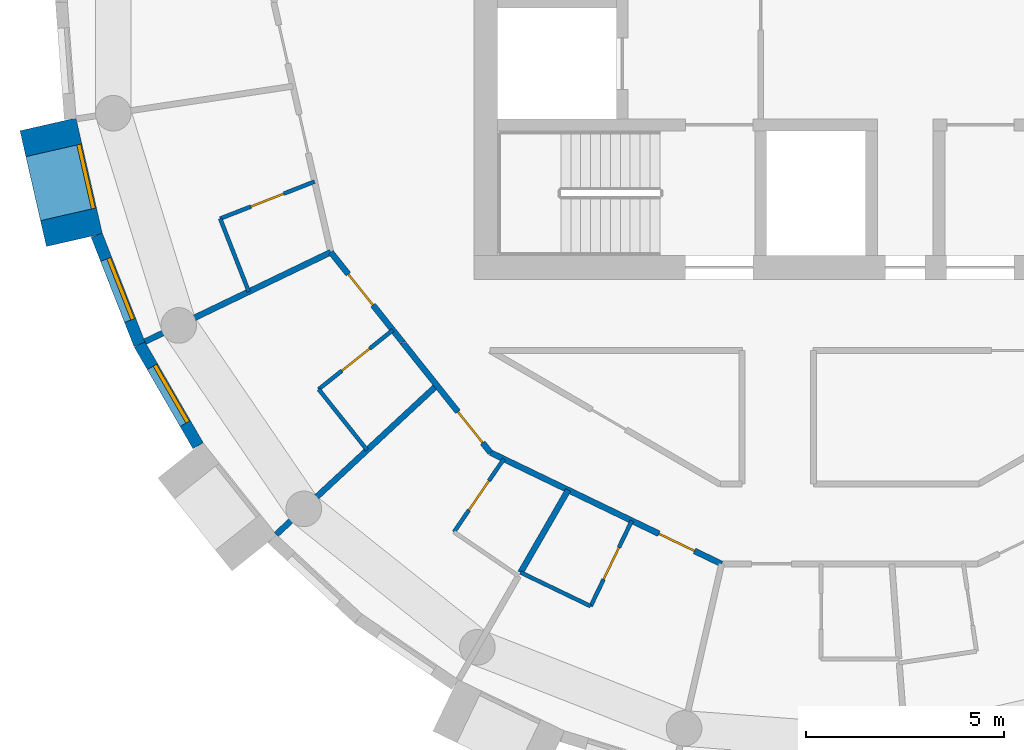
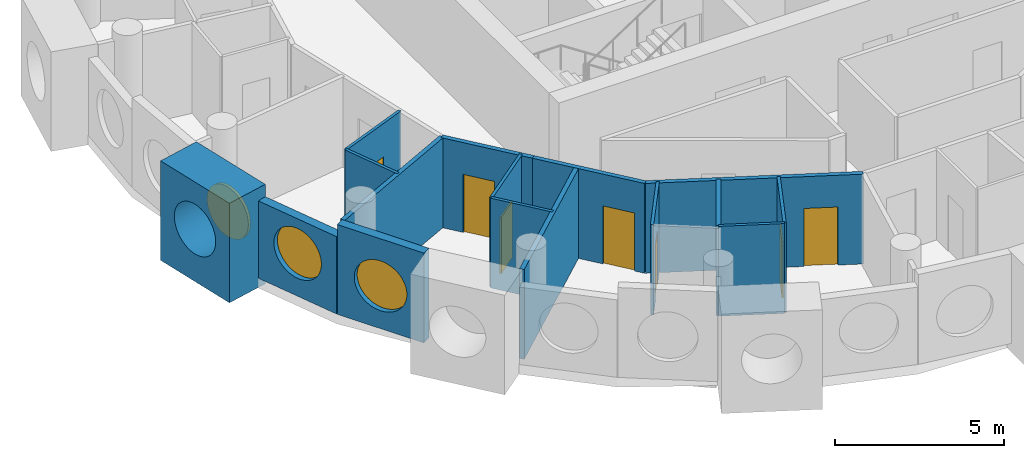
# One storey, part 2 of 12: 16 walls, 7 doors, 3 windows, 10 openings.
"""IFC4 building model written with IfcOpenShell, lengths in metres."""

import ifcopenshell
import ifcopenshell.guid

model = None  # the IFC model being written
_history = None  # IfcOwnerHistory: only IFC2X3 demands one
_inside = {}  # id of a spatial element -> (the spatial element, [elements in it])
_under = {}  # id of a project, library or spatial element -> (it, [spatial elements below it])
_declared = {}  # id of a project -> (the project, [libraries it declares])
_typed = {}  # id of a type object -> (the type object, [elements of that type])
_made_of = {}  # id of a material, layer set ... -> (it, [elements and type objects made of it])


def new_model(schema):
    """Start an empty IFC model of exactly this schema.

    Asked for "IFC4X3", IfcOpenShell would pick the latest addendum, in which some entities
    have other attributes; the version numbers below select the first issue.
    IFC2X3 requires an IfcOwnerHistory on every rooted entity: one is made here for all.
    """
    global model, _history
    if schema == "IFC4X3":
        model = ifcopenshell.file(schema_version=(4, 3, 0, 0))
    else:
        model = ifcopenshell.file(schema=schema)
    _inside.clear()
    _under.clear()
    _declared.clear()
    _typed.clear()
    _made_of.clear()
    _history = None
    if model.schema == "IFC2X3":
        org = make("IfcOrganization", Name="unknown")
        user = make(
            "IfcPersonAndOrganization",
            ThePerson=make("IfcPerson", FamilyName="unknown"),
            TheOrganization=org,
        )
        app = make(
            "IfcApplication",
            ApplicationDeveloper=org,
            Version="unknown",
            ApplicationFullName="unknown",
            ApplicationIdentifier="unknown",
        )
        _history = make(
            "IfcOwnerHistory",
            OwningUser=user,
            OwningApplication=app,
            ChangeAction="ADDED",
            CreationDate=0,
        )
    return model


def make(cls, **values):
    """One entity of the class cls with the attributes given. An attribute that is None is left unset."""
    return model.create_entity(
        cls, **{name: value for name, value in values.items() if value is not None}
    )


def rooted(cls, **values):
    """An entity with a GlobalId (a new one), such as an element, a storey or a relation."""
    return make(cls, GlobalId=ifcopenshell.guid.new(), OwnerHistory=_history, **values)


def si_unit(unit_type, name, prefix=None):
    """IfcSIUnit, for example si_unit("LENGTHUNIT", "METRE", prefix="MILLI")."""
    return make("IfcSIUnit", UnitType=unit_type, Prefix=prefix, Name=name)


def assignment(units):
    """IfcUnitAssignment: the units of a project."""
    return None if units is None else make("IfcUnitAssignment", Units=units)


def point(xyz):
    """IfcCartesianPoint."""
    return None if xyz is None else make("IfcCartesianPoint", Coordinates=xyz)


def direction(xyz):
    """IfcDirection."""
    return None if xyz is None else make("IfcDirection", DirectionRatios=xyz)


def frame(location, z_axis=None, x_axis=None):
    """IfcAxis2Placement3D, a coordinate frame: its origin and axes. An axis left out is left unset."""
    return make(
        "IfcAxis2Placement3D",
        Location=point(location),
        Axis=direction(z_axis),
        RefDirection=direction(x_axis),
    )


def frame_2d(location, x_axis=None):
    """IfcAxis2Placement2D, a coordinate frame in the plane: its origin and x axis."""
    return make(
        "IfcAxis2Placement2D", Location=point(location), RefDirection=direction(x_axis)
    )


def origin():
    """The frame at (0, 0, 0) with its axes left unset."""
    return frame((0.0, 0.0, 0.0))


def origin_2d():
    """The frame at (0, 0) in the plane with its x axis left unset."""
    return frame_2d((0.0, 0.0))


def place(relative_to, where):
    """IfcLocalPlacement: puts the frame where relative to a parent placement (None: the world)."""
    return make(
        "IfcLocalPlacement", PlacementRelTo=relative_to, RelativePlacement=where
    )


def context(
    kind, dimensions, precision=None, world=None, true_north=None, identifier=None
):
    """IfcGeometricRepresentationContext, for example the 3D "Model" context."""
    return make(
        "IfcGeometricRepresentationContext",
        ContextIdentifier=identifier,
        ContextType=kind,
        CoordinateSpaceDimension=dimensions,
        Precision=precision,
        WorldCoordinateSystem=world,
        TrueNorth=true_north,
    )


def subcontext(parent, identifier, kind, view, scale=None):
    """IfcGeometricRepresentationSubContext, for example "Body" below "Model"."""
    return make(
        "IfcGeometricRepresentationSubContext",
        ContextIdentifier=identifier,
        ContextType=kind,
        ParentContext=parent,
        TargetScale=scale,
        TargetView=view,
    )


def project(units=None, contexts=None):
    """IfcProject with its units and contexts."""
    return rooted(
        "IfcProject",
        Name="project",
        RepresentationContexts=contexts,
        UnitsInContext=assignment(units),
    )


def spatial(cls, under=None, at=None, **own):
    """A site, building, storey or space (cls), placed at a placement, below another one or the project."""
    s = rooted(cls, ObjectPlacement=at, **own)
    if under is not None:
        _under.setdefault(under.id(), (under, []))[1].append(s)
    return s


def profile(cls, at=None, kind="AREA", **sizes):
    """A parametric profile (cls). Its sizes go by their IFC names, for example OverallWidth=200.0."""
    return make(cls, ProfileType=kind, Position=at, **sizes)


def rectangle(**sizes):
    """IfcRectangleProfileDef."""
    return profile("IfcRectangleProfileDef", **sizes)


def circle(**sizes):
    """IfcCircleProfileDef."""
    return profile("IfcCircleProfileDef", **sizes)


def extrude(swept, where, along, depth):
    """IfcExtrudedAreaSolid: the profile swept, set in the frame where, extruded along a direction by depth."""
    return make(
        "IfcExtrudedAreaSolid",
        SweptArea=swept,
        Position=where,
        ExtrudedDirection=direction(along),
        Depth=depth,
    )


def shape(context_of_items, identifier, shape_type, items):
    """IfcShapeRepresentation: the items that make up one representation, for example the "Body"."""
    return make(
        "IfcShapeRepresentation",
        ContextOfItems=context_of_items,
        RepresentationIdentifier=identifier,
        RepresentationType=shape_type,
        Items=items,
    )


def material(Name=None, Category=None):
    """IfcMaterial."""
    return make("IfcMaterial", Name=Name, Category=Category)


def layer(
    of_material, thickness, ventilated=None, Name=None, Category=None, Priority=None
):
    """IfcMaterialLayer: one layer of a wall or slab, of a material (None: an air gap)."""
    return make(
        "IfcMaterialLayer",
        Material=of_material,
        LayerThickness=thickness,
        IsVentilated=ventilated,
        Name=Name,
        Category=Category,
        Priority=Priority,
    )


def layer_set(layers, Name=None):
    """IfcMaterialLayerSet."""
    return make("IfcMaterialLayerSet", MaterialLayers=layers, LayerSetName=Name)


def made_of(thing, what):
    """Note that an element or type object is made of a material, layer set ...; save() writes the relation."""
    if what is not None:
        _made_of.setdefault(what.id(), (what, []))[1].append(thing)
    return thing


def type_object(cls, material=None, **own):
    """A type object (cls), such as IfcWallType, which elements share."""
    return made_of(rooted(cls, **own), material)


def element(
    cls,
    number,
    at=None,
    inside=None,
    cuts=None,
    type_object=None,
    material=None,
    context=None,
    identifier="Body",
    shape_type=None,
    held_by="IfcProductDefinitionShape",
    body=None,
    shapes=None,
    **own,
):
    """One element of the class cls, such as IfcWall. Its Tag is "e" and its number.

    at: its placement. inside: the storey or other place that contains it. cuts: it is an
    opening in that element (IfcRelVoidsElement). A single representation is given by context,
    identifier, shape_type and body (its items); several are given by shapes. held_by: the class
    of the entity that holds the representations. save() writes the other relations.
    """
    e = rooted(cls, Tag="e%d" % number, ObjectPlacement=at, **own)
    if body is not None:
        shapes = [shape(context, identifier, shape_type, body)]
    if shapes is not None:
        e.Representation = make(held_by, Representations=shapes)
    if inside is not None:
        _inside.setdefault(inside.id(), (inside, []))[1].append(e)
    if cuts is not None:
        rooted(
            "IfcRelVoidsElement", RelatingBuildingElement=cuts, RelatedOpeningElement=e
        )
    if type_object is not None:
        _typed.setdefault(type_object.id(), (type_object, []))[1].append(e)
    return made_of(e, material)


def fill(opening, filler):
    """IfcRelFillsElement: the door or window that sits in an opening."""
    return rooted(
        "IfcRelFillsElement",
        RelatingOpeningElement=opening,
        RelatedBuildingElement=filler,
    )


def aggregate(whole, parts):
    """IfcRelAggregates: a whole, such as a stair, and the parts it consists of."""
    return rooted("IfcRelAggregates", RelatingObject=whole, RelatedObjects=parts)


def save(model, path):
    """Write the relations noted so far, then the file.

    IfcRelAggregates (storeys below a building ...), IfcRelContainedInSpatialStructure (elements
    in a storey), IfcRelDefinesByType, IfcRelAssociatesMaterial and IfcRelDeclares: one each for
    every whole, place, type object, material and project.
    """
    for whole, parts in _under.values():
        aggregate(whole, parts)
    for where, things in _inside.values():
        rooted(
            "IfcRelContainedInSpatialStructure",
            RelatedElements=things,
            RelatingStructure=where,
        )
    for kind, things in _typed.values():
        rooted("IfcRelDefinesByType", RelatedObjects=things, RelatingType=kind)
    for what, things in _made_of.values():
        rooted("IfcRelAssociatesMaterial", RelatedObjects=things, RelatingMaterial=what)
    for by, libraries in _declared.values():
        rooted("IfcRelDeclares", RelatingContext=by, RelatedDefinitions=libraries)
    model.write(path)


model = new_model("IFC4")

# Units and contexts
model_context = context("Model", 3, precision=1e-05, world=origin(), true_north=direction((0.0, 1.0)))
body_context = subcontext(model_context, "Body", "Model", "MODEL_VIEW")
ifc_project = project(units=[si_unit("LENGTHUNIT", "METRE"), si_unit("AREAUNIT", "SQUARE_METRE"), si_unit("VOLUMEUNIT", "CUBIC_METRE"), si_unit("PLANEANGLEUNIT", "RADIAN"), si_unit("MASSUNIT", "GRAM", prefix="KILO")], contexts=[model_context])

# Site, building, storey
site_placement = place(None, origin())
site = spatial("IfcSite", under=ifc_project, at=site_placement, CompositionType="ELEMENT")
building_placement = place(site_placement, origin())
building = spatial("IfcBuilding", under=site, at=building_placement, Name="Tracery Tower", CompositionType="ELEMENT")
storey_placement = place(building_placement, frame((0.0, 0.0, 287.39990234375)))
storey = spatial("IfcBuildingStorey", under=building, at=storey_placement, Name="L74", CompositionType="ELEMENT", Elevation=287.39990234375)

# Wall, opening, window
ifc_material_1 = material(Name="Precast concrete C50/60", Category="concrete")
ifc_layer_1 = layer(ifc_material_1, 1.449951171875)
ifc_layer_set_1 = layer_set([ifc_layer_1], Name="Deep-set bay unit 3000 x 3600, slab edge 350")
wall_type_1 = type_object("IfcWallType", Name="Deep-set bay unit 3000 x 3600, slab edge 350", PredefinedType="ELEMENTEDWALL", material=ifc_layer_set_1)
wall_1_placement = place(storey_placement, frame((-20.262451171875, -3.086181640625, -0.349853515625), z_axis=(0.0, 0.0, 1.0), x_axis=(0.222570682856, -0.974916555985, 0.0)))
wall_1 = element("IfcWall", 1, at=wall_1_placement, inside=storey, type_object=wall_type_1, Name="Deep-set bay unit 23 at L74", PredefinedType="ELEMENTEDWALL", context=body_context, shape_type="SweptSolid", body=[
    extrude(rectangle(XDim=3.0, YDim=1.449951171875, at=frame_2d((1.5, 0.0))), origin(), (0.0, 0.0, 1.0), 3.599853515625),
])
opening_1_placement = place(wall_1_placement, frame((1.5, 0.0, 1.89990234375)))
opening_1 = element("IfcOpeningElement", 2, at=opening_1_placement, cuts=wall_1, Name="Opening WN1", PredefinedType="OPENING", context=body_context, shape_type="SweptSolid", body=[
    extrude(circle(Radius=0.9000244140625, at=origin_2d()), frame((0.0, 0.73486328125, 0.0), z_axis=(0.0, -1.0, 0.0), x_axis=(1.0, 0.0, 0.0)), (0.0, 0.0, 1.0), 1.469970703125),
])
ifc_material_2 = material(Name="Aluminium frame with tinted double glazing", Category="aluminium")
window_type = type_object("IfcWindowType", Name="Round window 1800", PartitioningType="SINGLE_PANEL", PredefinedType="WINDOW", material=ifc_material_2)
window_1_placement = place(opening_1_placement, origin())
window_1 = element("IfcWindow", 3, at=window_1_placement, inside=storey, type_object=window_type, Name="Round window 23 at L74", OverallHeight=1.800048828125, OverallWidth=1.800048828125, PartitioningType="SINGLE_PANEL", PredefinedType="WINDOW", context=body_context, shape_type="SweptSolid", body=[
    extrude(circle(Radius=0.9000244140625, at=origin_2d()), frame((0.0, 0.69482421875, 0.0), z_axis=(0.0, -1.0, 0.0), x_axis=(1.0, 0.0, 0.0)), (0.0, 0.0, 1.0), 0.10009765625),
])
fill(opening_1, window_1)

ifc_material_3 = material(Name="Precast concrete C50/60", Category="concrete")
ifc_layer_2 = layer(ifc_material_3, 0.300048828125)
ifc_layer_set_2 = layer_set([ifc_layer_2], Name="Facade panel 3000 x 2800")
wall_type_2 = type_object("IfcWallType", Name="Facade panel 3000 x 2800", PredefinedType="SOLIDWALL", material=ifc_layer_set_2)
wall_2_placement = place(storey_placement, frame((-19.03125, -5.88623046875, 0.0), z_axis=(0.0, 0.0, 1.0), x_axis=(0.365343821297, -0.930872650925, 0.0)))
wall_2 = element("IfcWall", 4, at=wall_2_placement, inside=storey, type_object=wall_type_2, Name="Facade panel 24 at L74", PredefinedType="SOLIDWALL", context=body_context, shape_type="SweptSolid", body=[
    extrude(rectangle(XDim=2.96240234375, YDim=0.300048828125, at=frame_2d((1.481201171875, 0.0))), origin(), (0.0, 0.0, 1.0), 2.800048828125),
])
opening_2_placement = place(wall_2_placement, frame((1.48095703125, 0.0, 1.5498046875)))
opening_2 = element("IfcOpeningElement", 5, at=opening_2_placement, cuts=wall_2, Name="Opening WN1", PredefinedType="OPENING", context=body_context, shape_type="SweptSolid", body=[
    extrude(circle(Radius=0.9000244140625, at=origin_2d()), frame((0.0, 0.159912109375, 0.0), z_axis=(0.0, -1.0, 0.0), x_axis=(1.0, 0.0, 0.0)), (0.0, 0.0, 1.0), 0.320068359375),
])
window_2_placement = place(opening_2_placement, origin())
window_2 = element("IfcWindow", 6, at=window_2_placement, inside=storey, type_object=window_type, Name="Round window 24 at L74", OverallHeight=1.800048828125, OverallWidth=1.800048828125, PartitioningType="SINGLE_PANEL", PredefinedType="WINDOW", context=body_context, shape_type="SweptSolid", body=[
    extrude(circle(Radius=0.9000244140625, at=origin_2d()), frame((0.0, 0.1201171875, 0.0), z_axis=(0.0, -1.0, 0.0), x_axis=(1.0, 0.0, 0.0)), (0.0, 0.0, 1.0), 0.10009765625),
])
fill(opening_2, window_2)

ifc_material_4 = material(Name="Precast concrete C50/60", Category="concrete")
ifc_layer_3 = layer(ifc_material_4, 0.300048828125)
ifc_layer_set_3 = layer_set([ifc_layer_3], Name="Facade panel 3000 x 3250")
wall_type_3 = type_object("IfcWallType", Name="Facade panel 3000 x 3250", PredefinedType="SOLIDWALL", material=ifc_layer_set_3)
wall_3_placement = place(storey_placement, frame((-17.948974609375, -8.643798828125, 0.0), z_axis=(0.0, 0.0, 1.0), x_axis=(0.500012570604, -0.866018146021, 0.0)))
wall_3 = element("IfcWall", 7, at=wall_3_placement, inside=storey, type_object=wall_type_3, Name="Facade panel 25 at L74", PredefinedType="SOLIDWALL", context=body_context, shape_type="SweptSolid", body=[
    extrude(rectangle(XDim=2.96240234375, YDim=0.300048828125, at=frame_2d((1.481201171875, 0.0))), origin(), (0.0, 0.0, 1.0), 3.25),
])
opening_3_placement = place(wall_3_placement, frame((1.48095703125, 0.0, 1.5498046875)))
opening_3 = element("IfcOpeningElement", 8, at=opening_3_placement, cuts=wall_3, Name="Opening WN1", PredefinedType="OPENING", context=body_context, shape_type="SweptSolid", body=[
    extrude(circle(Radius=0.9000244140625, at=origin_2d()), frame((0.0, 0.159912109375, 0.0), z_axis=(0.0, -1.0, 0.0), x_axis=(1.0, 0.0, 0.0)), (0.0, 0.0, 1.0), 0.320068359375),
])
window_3_placement = place(opening_3_placement, origin())
window_3 = element("IfcWindow", 9, at=window_3_placement, inside=storey, type_object=window_type, Name="Round window 25 at L74", OverallHeight=1.800048828125, OverallWidth=1.800048828125, PartitioningType="SINGLE_PANEL", PredefinedType="WINDOW", context=body_context, shape_type="SweptSolid", body=[
    extrude(circle(Radius=0.9000244140625, at=origin_2d()), frame((0.0, 0.1201171875, 0.0), z_axis=(0.0, -1.0, 0.0), x_axis=(1.0, 0.0, 0.0)), (0.0, 0.0, 1.0), 0.10009765625),
])
fill(opening_3, window_3)

# Wall, opening, door
ifc_material_5 = material(Name="Plasterboard on steel studs", Category="steel")
ifc_layer_4 = layer(ifc_material_5, 0.10009765625)
ifc_layer_set_4 = layer_set([ifc_layer_4], Name="Partition 100 wet wall")
wall_type_4 = type_object("IfcWallType", Name="Partition 100 wet wall", PredefinedType="PARTITIONING", material=ifc_layer_set_4)
wall_4_placement = place(storey_placement, frame((-15.910888671875, -5.468017578125, 0.0), z_axis=(0.0, 0.0, 1.0), x_axis=(0.930898333543, 0.365278376867, 0.0)))
wall_4 = element("IfcWall", 10, at=wall_4_placement, inside=storey, type_object=wall_type_4, Name="Wet wall RC6-067", PredefinedType="PARTITIONING", context=body_context, shape_type="SweptSolid", body=[
    extrude(rectangle(XDim=2.565185546875, YDim=0.10009765625, at=frame_2d((1.28271484375, 0.0))), origin(), (0.0, 0.0, 1.0), 3.25),
])
opening_4_placement = place(wall_4_placement, frame((0.832275390625, 0.0, 0.0)))
opening_4 = element("IfcOpeningElement", 11, at=opening_4_placement, cuts=wall_4, Name="Opening RC6-18", PredefinedType="OPENING", context=body_context, shape_type="SweptSolid", body=[
    extrude(rectangle(XDim=0.89990234375, YDim=2.0400390625, at=frame_2d((0.449951171875, 1.02001953125))), frame((0.0, 0.050048828125, 0.0), z_axis=(0.0, -1.0, 0.0), x_axis=(1.0, 0.0, 0.0)), (0.0, 0.0, 1.0), 0.10009765625),
])
ifc_material_6 = material(Name="Timber door leaf", Category="wood")
door_type_1 = type_object("IfcDoorType", Name="Door en-suite 900", OperationType="NOTDEFINED", PredefinedType="DOOR", material=ifc_material_6)
door_1_placement = place(opening_4_placement, origin())
door_1 = element("IfcDoor", 12, at=door_1_placement, inside=storey, type_object=door_type_1, Name="En-suite door RC6-18", OperationType="SINGLE_SWING_RIGHT", OverallHeight=2.0400390625, OverallWidth=0.89990234375, PredefinedType="DOOR", context=body_context, shape_type="SweptSolid", body=[
    extrude(rectangle(XDim=0.89990234375, YDim=2.0400390625, at=frame_2d((0.449951171875, 1.02001953125))), frame((0.0, 0.02490234375, 0.0), z_axis=(0.0, -1.0, 0.0), x_axis=(1.0, 0.0, 0.0)), (0.0, 0.0, 1.0), 0.050048828125),
])
fill(opening_4, door_1)

# Wall
wall_5_placement = place(storey_placement, frame((-15.910888671875, -5.468017578125, 0.0), z_axis=(0.0, 0.0, 1.0), x_axis=(0.36507706633, -0.930977301356, 0.0)))
element("IfcWall", 13, at=wall_5_placement, inside=storey, type_object=wall_type_4, Name="Wet wall RC6-068", PredefinedType="PARTITIONING", context=body_context, shape_type="SweptSolid", body=[
    extrude(rectangle(XDim=1.98291015625, YDim=0.10009765625, at=frame_2d((0.991455078125, 0.0))), origin(), (0.0, 0.0, 1.0), 3.25),
])

# Wall, opening, door
wall_6_placement = place(storey_placement, frame((-13.422119140625, -9.780029296875, 0.0), z_axis=(0.0, 0.0, 1.0), x_axis=(0.781860394524, 0.623453545562, 0.0)))
wall_6 = element("IfcWall", 14, at=wall_6_placement, inside=storey, type_object=wall_type_4, Name="Wet wall RC6-070", PredefinedType="PARTITIONING", context=body_context, shape_type="SweptSolid", body=[
    extrude(rectangle(XDim=2.399658203125, YDim=0.10009765625, at=frame_2d((1.19970703125, 0.0))), origin(), (0.0, 0.0, 1.0), 3.25),
])
opening_5_placement = place(wall_6_placement, frame((0.74951171875, 0.0, 0.0)))
opening_5 = element("IfcOpeningElement", 15, at=opening_5_placement, cuts=wall_6, Name="Opening RC6-20", PredefinedType="OPENING", context=body_context, shape_type="SweptSolid", body=[
    extrude(rectangle(XDim=0.89990234375, YDim=2.0400390625, at=frame_2d((0.449951171875, 1.02001953125))), frame((0.0, 0.050048828125, 0.0), z_axis=(0.0, -1.0, 0.0), x_axis=(1.0, 0.0, 0.0)), (0.0, 0.0, 1.0), 0.10009765625),
])
door_2_placement = place(opening_5_placement, origin())
door_2 = element("IfcDoor", 16, at=door_2_placement, inside=storey, type_object=door_type_1, Name="En-suite door RC6-20", OperationType="SINGLE_SWING_RIGHT", OverallHeight=2.0400390625, OverallWidth=0.89990234375, PredefinedType="DOOR", context=body_context, shape_type="SweptSolid", body=[
    extrude(rectangle(XDim=0.89990234375, YDim=2.0400390625, at=frame_2d((0.449951171875, 1.02001953125))), frame((0.0, 0.02490234375, 0.0), z_axis=(0.0, -1.0, 0.0), x_axis=(1.0, 0.0, 0.0)), (0.0, 0.0, 1.0), 0.050048828125),
])
fill(opening_5, door_2)

# Wall
wall_7_placement = place(storey_placement, frame((-13.422119140625, -9.780029296875, 0.0), z_axis=(0.0, 0.0, 1.0), x_axis=(0.623330716607, -0.781958322249, 0.0)))
element("IfcWall", 17, at=wall_7_placement, inside=storey, type_object=wall_type_4, Name="Wet wall RC6-071", PredefinedType="PARTITIONING", context=body_context, shape_type="SweptSolid", body=[
    extrude(rectangle(XDim=1.96533203125, YDim=0.10009765625, at=frame_2d((0.982666015625, 0.0))), origin(), (0.0, 0.0, 1.0), 3.25),
])

# Wall, opening, door
wall_8_placement = place(storey_placement, frame((-10.001953125, -13.386962890625, 0.0), z_axis=(0.0, 0.0, 1.0), x_axis=(0.563469042551, 0.826137178734, 0.0)))
wall_8 = element("IfcWall", 18, at=wall_8_placement, inside=storey, type_object=wall_type_4, Name="Wet wall RC6-073", PredefinedType="PARTITIONING", context=body_context, shape_type="SweptSolid", body=[
    extrude(rectangle(XDim=2.234375, YDim=0.10009765625, at=frame_2d((1.1171875, 0.0))), origin(), (0.0, 0.0, 1.0), 3.25),
])
opening_6_placement = place(wall_8_placement, frame((0.66748046875, 0.0, 0.0)))
opening_6 = element("IfcOpeningElement", 19, at=opening_6_placement, cuts=wall_8, Name="Opening RC6-22", PredefinedType="OPENING", context=body_context, shape_type="SweptSolid", body=[
    extrude(rectangle(XDim=0.89990234375, YDim=2.0400390625, at=frame_2d((0.449951171875, 1.02001953125))), frame((0.0, 0.050048828125, 0.0), z_axis=(0.0, -1.0, 0.0), x_axis=(1.0, 0.0, 0.0)), (0.0, 0.0, 1.0), 0.10009765625),
])
door_3_placement = place(opening_6_placement, origin())
door_3 = element("IfcDoor", 20, at=door_3_placement, inside=storey, type_object=door_type_1, Name="En-suite door RC6-22", OperationType="SINGLE_SWING_LEFT", OverallHeight=2.0400390625, OverallWidth=0.89990234375, PredefinedType="DOOR", context=body_context, shape_type="SweptSolid", body=[
    extrude(rectangle(XDim=0.89990234375, YDim=2.0400390625, at=frame_2d((0.449951171875, 1.02001953125))), frame((0.0, 0.02490234375, 0.0), z_axis=(0.0, -1.0, 0.0), x_axis=(1.0, 0.0, 0.0)), (0.0, 0.0, 1.0), 0.050048828125),
])
fill(opening_6, door_3)

# Wall
wall_9_placement = place(storey_placement, frame((-8.319091796875, -14.408935546875, 0.0), z_axis=(0.0, 0.0, 1.0), x_axis=(0.900936932599, -0.433950047216, 0.0)))
element("IfcWall", 21, at=wall_9_placement, inside=storey, type_object=wall_type_4, Name="Wet wall RC6-077", PredefinedType="PARTITIONING", context=body_context, shape_type="SweptSolid", body=[
    extrude(rectangle(XDim=1.9658203125, YDim=0.10009765625, at=frame_2d((0.98291015625, 0.0))), origin(), (0.0, 0.0, 1.0), 3.25),
])

# Wall, opening, door
wall_10_placement = place(storey_placement, frame((-6.548095703125, -15.261962890625, 0.0), z_axis=(0.0, 0.0, 1.0), x_axis=(0.433855388624, 0.900982520231, 0.0)))
wall_10 = element("IfcWall", 22, at=wall_10_placement, inside=storey, type_object=wall_type_4, Name="Wet wall RC6-078", PredefinedType="PARTITIONING", context=body_context, shape_type="SweptSolid", body=[
    extrude(rectangle(XDim=2.3994140625, YDim=0.10009765625, at=frame_2d((1.19970703125, 0.0))), origin(), (0.0, 0.0, 1.0), 3.25),
])
opening_7_placement = place(wall_10_placement, frame((0.75, 0.0, 0.0)))
opening_7 = element("IfcOpeningElement", 23, at=opening_7_placement, cuts=wall_10, Name="Opening RC6-24", PredefinedType="OPENING", context=body_context, shape_type="SweptSolid", body=[
    extrude(rectangle(XDim=0.89990234375, YDim=2.0400390625, at=frame_2d((0.449951171875, 1.02001953125))), frame((0.0, 0.050048828125, 0.0), z_axis=(0.0, -1.0, 0.0), x_axis=(1.0, 0.0, 0.0)), (0.0, 0.0, 1.0), 0.10009765625),
])
door_4_placement = place(opening_7_placement, origin())
door_4 = element("IfcDoor", 24, at=door_4_placement, inside=storey, type_object=door_type_1, Name="En-suite door RC6-24", OperationType="SINGLE_SWING_RIGHT", OverallHeight=2.0400390625, OverallWidth=0.89990234375, PredefinedType="DOOR", context=body_context, shape_type="SweptSolid", body=[
    extrude(rectangle(XDim=0.89990234375, YDim=2.0400390625, at=frame_2d((0.449951171875, 1.02001953125))), frame((0.0, 0.02490234375, 0.0), z_axis=(0.0, -1.0, 0.0), x_axis=(1.0, 0.0, 0.0)), (0.0, 0.0, 1.0), 0.050048828125),
])
fill(opening_7, door_4)

# Walls
ifc_material_7 = material(Name="Plasterboard on steel studs", Category="steel")
ifc_layer_5 = layer(ifc_material_7, 0.14990234375)
ifc_layer_set_5 = layer_set([ifc_layer_5], Name="Partition 150 acoustic unit wall")
wall_type_5 = type_object("IfcWallType", Name="Partition 150 acoustic unit wall", PredefinedType="PARTITIONING", material=ifc_layer_set_5)
wall_11_placement = place(storey_placement, frame((-17.81298828125, -8.577880859375, 0.0), z_axis=(0.0, 0.0, 1.0), x_axis=(0.901049790108, 0.433715662325, 0.0)))
element("IfcWall", 25, at=wall_11_placement, inside=storey, type_object=wall_type_5, Name="Unit wall RC6-069", PredefinedType="PARTITIONING", context=body_context, shape_type="SweptSolid", body=[
    extrude(rectangle(XDim=5.214111328125, YDim=0.14990234375, at=frame_2d((2.60693359375, 0.0))), origin(), (0.0, 0.0, 1.0), 3.25),
])
wall_12_placement = place(storey_placement, frame((-14.492919921875, -13.447998046875, 0.0), z_axis=(0.0, 0.0, 1.0), x_axis=(0.73295202722, 0.68028032883, 0.0)))
element("IfcWall", 26, at=wall_12_placement, inside=storey, type_object=wall_type_5, Name="Unit wall RC6-072", PredefinedType="PARTITIONING", context=body_context, shape_type="SweptSolid", body=[
    extrude(rectangle(XDim=5.5390625, YDim=0.14990234375, at=frame_2d((2.76953125, 0.0))), origin(), (0.0, 0.0, 1.0), 3.25),
])
wall_13_placement = place(storey_placement, frame((-8.321044921875, -14.412109375, 0.0), z_axis=(0.0, 0.0, 1.0), x_axis=(0.500017667814, 0.866015203027, 0.0)))
element("IfcWall", 27, at=wall_13_placement, inside=storey, type_object=wall_type_5, Name="Unit wall RC6-076", PredefinedType="PARTITIONING", context=body_context, shape_type="SweptSolid", body=[
    extrude(rectangle(XDim=2.41015625, YDim=0.14990234375, at=frame_2d((1.205078125, 0.0))), origin(), (0.0, 0.0, 1.0), 3.25),
])

# Wall, opening, door
ifc_material_8 = material(Name="Plasterboard on steel studs", Category="steel")
ifc_layer_6 = layer(ifc_material_8, 0.14990234375)
ifc_layer_set_6 = layer_set([ifc_layer_6], Name="Partition 150 corridor wall")
wall_type_6 = type_object("IfcWallType", Name="Partition 150 corridor wall", PredefinedType="PARTITIONING", material=ifc_layer_set_6)
wall_14_placement = place(storey_placement, frame((-11.300048828125, -8.59619140625, 0.0), z_axis=(0.0, 0.0, 1.0), x_axis=(0.623390921228, -0.781910326911, 0.0)))
wall_14 = element("IfcWall", 28, at=wall_14_placement, inside=storey, type_object=wall_type_6, Name="Corridor wall RC6-015", PredefinedType="PARTITIONING", context=body_context, shape_type="SweptSolid", body=[
    extrude(rectangle(XDim=3.56396484375, YDim=0.14990234375, at=frame_2d((1.781982421875, 0.0))), origin(), (0.0, 0.0, 1.0), 3.25),
])
opening_8_placement = place(wall_14_placement, frame((2.243896484375, 0.0, 0.0)))
opening_8 = element("IfcOpeningElement", 29, at=opening_8_placement, cuts=wall_14, Name="Opening RC6-23", PredefinedType="OPENING", context=body_context, shape_type="SweptSolid", body=[
    extrude(rectangle(XDim=1.0, YDim=2.10009765625, at=frame_2d((0.5, 1.050048828125))), frame((0.0, 0.074951171875, 0.0), z_axis=(0.0, -1.0, 0.0), x_axis=(1.0, 0.0, 0.0)), (0.0, 0.0, 1.0), 0.14990234375),
])
ifc_material_9 = material(Name="Timber door leaf", Category="wood")
door_type_2 = type_object("IfcDoorType", Name="Door unit entrance 1000", OperationType="NOTDEFINED", PredefinedType="DOOR", material=ifc_material_9)
door_5_placement = place(opening_8_placement, origin())
door_5 = element("IfcDoor", 30, at=door_5_placement, inside=storey, type_object=door_type_2, Name="Unit entrance door RC6-23", OperationType="SINGLE_SWING_LEFT", OverallHeight=2.10009765625, OverallWidth=1.0, PredefinedType="DOOR", context=body_context, shape_type="SweptSolid", body=[
    extrude(rectangle(XDim=1.0, YDim=2.10009765625, at=frame_2d((0.5, 1.050048828125))), frame((0.0, 0.02490234375, 0.0), z_axis=(0.0, -1.0, 0.0), x_axis=(1.0, 0.0, 0.0)), (0.0, 0.0, 1.0), 0.050048828125),
])
fill(opening_8, door_5)

wall_15_placement = place(storey_placement, frame((-13.114990234375, -6.31591796875, 0.0), z_axis=(0.0, 0.0, 1.0), x_axis=(0.623303083673, -0.781980348784, 0.0)))
wall_15 = element("IfcWall", 31, at=wall_15_placement, inside=storey, type_object=wall_type_6, Name="Corridor wall RC6-036", PredefinedType="PARTITIONING", context=body_context, shape_type="SweptSolid", body=[
    extrude(rectangle(XDim=2.9111328125, YDim=0.14990234375, at=frame_2d((1.45556640625, 0.0))), origin(), (0.0, 0.0, 1.0), 3.25),
])
opening_9_placement = place(wall_15_placement, frame((0.71044921875, 0.0, 0.0)))
opening_9 = element("IfcOpeningElement", 32, at=opening_9_placement, cuts=wall_15, Name="Opening RC6-21", PredefinedType="OPENING", context=body_context, shape_type="SweptSolid", body=[
    extrude(rectangle(XDim=1.0, YDim=2.10009765625, at=frame_2d((0.5, 1.050048828125))), frame((0.0, 0.074951171875, 0.0), z_axis=(0.0, -1.0, 0.0), x_axis=(1.0, 0.0, 0.0)), (0.0, 0.0, 1.0), 0.14990234375),
])
door_6_placement = place(opening_9_placement, origin())
door_6 = element("IfcDoor", 33, at=door_6_placement, inside=storey, type_object=door_type_2, Name="Unit entrance door RC6-21", OperationType="SINGLE_SWING_RIGHT", OverallHeight=2.10009765625, OverallWidth=1.0, PredefinedType="DOOR", context=body_context, shape_type="SweptSolid", body=[
    extrude(rectangle(XDim=1.0, YDim=2.10009765625, at=frame_2d((0.5, 1.050048828125))), frame((0.0, 0.02490234375, 0.0), z_axis=(0.0, -1.0, 0.0), x_axis=(1.0, 0.0, 0.0)), (0.0, 0.0, 1.0), 0.050048828125),
])
fill(opening_9, door_6)

wall_16_placement = place(storey_placement, frame((-9.075927734375, -11.381103515625, 0.0), z_axis=(0.0, 0.0, 1.0), x_axis=(0.900778421649, -0.434278983018, 0.0)))
wall_16 = element("IfcWall", 34, at=wall_16_placement, inside=storey, type_object=wall_type_6, Name="Corridor wall RC6-042", PredefinedType="PARTITIONING", context=body_context, shape_type="SweptSolid", body=[
    extrude(rectangle(XDim=6.478515625, YDim=0.14990234375, at=frame_2d((3.2392578125, 0.0))), origin(), (0.0, 0.0, 1.0), 3.25),
])
opening_10_placement = place(wall_16_placement, frame((4.718505859375, 0.0, 0.0)))
opening_10 = element("IfcOpeningElement", 35, at=opening_10_placement, cuts=wall_16, Name="Opening RC6-25", PredefinedType="OPENING", context=body_context, shape_type="SweptSolid", body=[
    extrude(rectangle(XDim=1.0, YDim=2.10009765625, at=frame_2d((0.5, 1.050048828125))), frame((0.0, 0.074951171875, 0.0), z_axis=(0.0, -1.0, 0.0), x_axis=(1.0, 0.0, 0.0)), (0.0, 0.0, 1.0), 0.14990234375),
])
door_7_placement = place(opening_10_placement, origin())
door_7 = element("IfcDoor", 36, at=door_7_placement, inside=storey, type_object=door_type_2, Name="Unit entrance door RC6-25", OperationType="SINGLE_SWING_LEFT", OverallHeight=2.10009765625, OverallWidth=1.0, PredefinedType="DOOR", context=body_context, shape_type="SweptSolid", body=[
    extrude(rectangle(XDim=1.0, YDim=2.10009765625, at=frame_2d((0.5, 1.050048828125))), frame((0.0, 0.02490234375, 0.0), z_axis=(0.0, -1.0, 0.0), x_axis=(1.0, 0.0, 0.0)), (0.0, 0.0, 1.0), 0.050048828125),
])
fill(opening_10, door_7)

save(model, "model.ifc")
